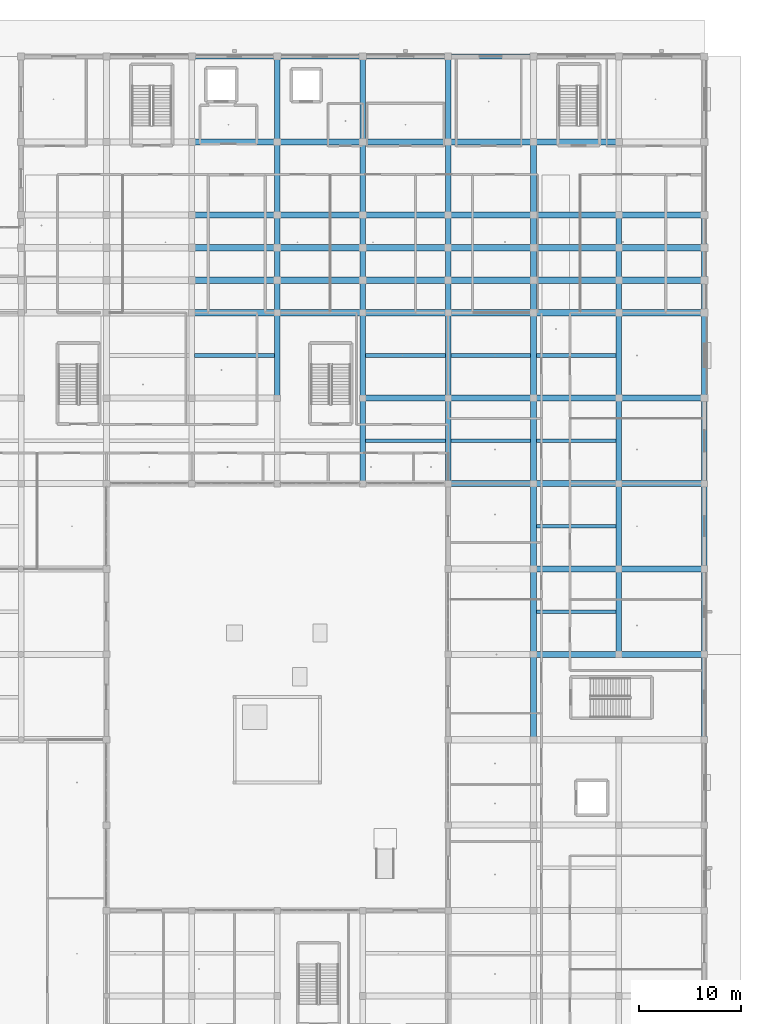
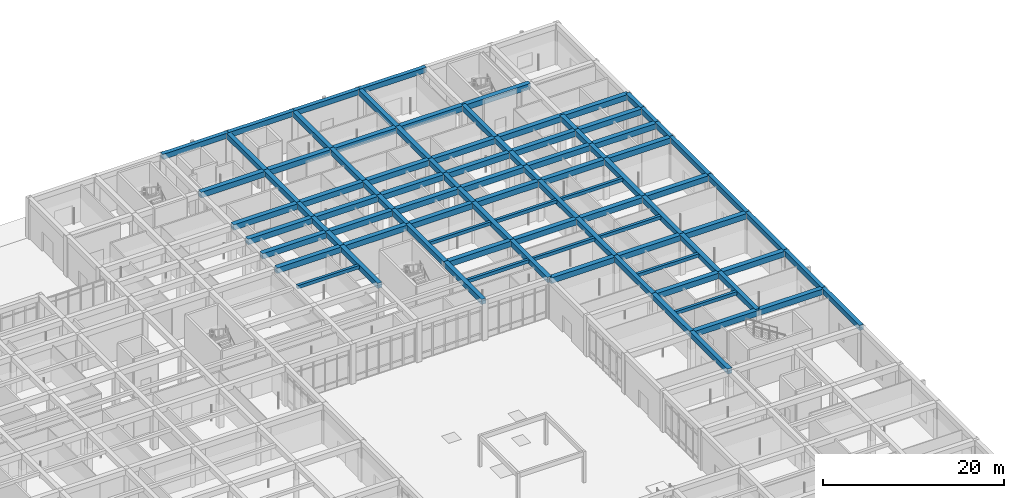
# One storey, part 43 of 167: 97 beams.
"""IFC4 building model written with IfcOpenShell, lengths in metres."""

import ifcopenshell
import ifcopenshell.guid

model = None  # the IFC model being written
_history = None  # IfcOwnerHistory: only IFC2X3 demands one
_inside = {}  # id of a spatial element -> (the spatial element, [elements in it])
_under = {}  # id of a project, library or spatial element -> (it, [spatial elements below it])
_declared = {}  # id of a project -> (the project, [libraries it declares])
_typed = {}  # id of a type object -> (the type object, [elements of that type])
_made_of = {}  # id of a material, layer set ... -> (it, [elements and type objects made of it])


def new_model(schema):
    """Start an empty IFC model of exactly this schema.

    Asked for "IFC4X3", IfcOpenShell would pick the latest addendum, in which some entities
    have other attributes; the version numbers below select the first issue.
    IFC2X3 requires an IfcOwnerHistory on every rooted entity: one is made here for all.
    """
    global model, _history
    if schema == "IFC4X3":
        model = ifcopenshell.file(schema_version=(4, 3, 0, 0))
    else:
        model = ifcopenshell.file(schema=schema)
    _inside.clear()
    _under.clear()
    _declared.clear()
    _typed.clear()
    _made_of.clear()
    _history = None
    if model.schema == "IFC2X3":
        org = make("IfcOrganization", Name="unknown")
        user = make(
            "IfcPersonAndOrganization",
            ThePerson=make("IfcPerson", FamilyName="unknown"),
            TheOrganization=org,
        )
        app = make(
            "IfcApplication",
            ApplicationDeveloper=org,
            Version="unknown",
            ApplicationFullName="unknown",
            ApplicationIdentifier="unknown",
        )
        _history = make(
            "IfcOwnerHistory",
            OwningUser=user,
            OwningApplication=app,
            ChangeAction="ADDED",
            CreationDate=0,
        )
    return model


def make(cls, **values):
    """One entity of the class cls with the attributes given. An attribute that is None is left unset."""
    return model.create_entity(
        cls, **{name: value for name, value in values.items() if value is not None}
    )


def rooted(cls, **values):
    """An entity with a GlobalId (a new one), such as an element, a storey or a relation."""
    return make(cls, GlobalId=ifcopenshell.guid.new(), OwnerHistory=_history, **values)


def si_unit(unit_type, name, prefix=None):
    """IfcSIUnit, for example si_unit("LENGTHUNIT", "METRE", prefix="MILLI")."""
    return make("IfcSIUnit", UnitType=unit_type, Prefix=prefix, Name=name)


def assignment(units):
    """IfcUnitAssignment: the units of a project."""
    return None if units is None else make("IfcUnitAssignment", Units=units)


def point(xyz):
    """IfcCartesianPoint."""
    return None if xyz is None else make("IfcCartesianPoint", Coordinates=xyz)


def direction(xyz):
    """IfcDirection."""
    return None if xyz is None else make("IfcDirection", DirectionRatios=xyz)


def frame(location, z_axis=None, x_axis=None):
    """IfcAxis2Placement3D, a coordinate frame: its origin and axes. An axis left out is left unset."""
    return make(
        "IfcAxis2Placement3D",
        Location=point(location),
        Axis=direction(z_axis),
        RefDirection=direction(x_axis),
    )


def frame_2d(location, x_axis=None):
    """IfcAxis2Placement2D, a coordinate frame in the plane: its origin and x axis."""
    return make(
        "IfcAxis2Placement2D", Location=point(location), RefDirection=direction(x_axis)
    )


def origin():
    """The frame at (0, 0, 0) with its axes left unset."""
    return frame((0.0, 0.0, 0.0))


def origin_2d():
    """The frame at (0, 0) in the plane with its x axis left unset."""
    return frame_2d((0.0, 0.0))


def place(relative_to, where):
    """IfcLocalPlacement: puts the frame where relative to a parent placement (None: the world)."""
    return make(
        "IfcLocalPlacement", PlacementRelTo=relative_to, RelativePlacement=where
    )


def context(
    kind, dimensions, precision=None, world=None, true_north=None, identifier=None
):
    """IfcGeometricRepresentationContext, for example the 3D "Model" context."""
    return make(
        "IfcGeometricRepresentationContext",
        ContextIdentifier=identifier,
        ContextType=kind,
        CoordinateSpaceDimension=dimensions,
        Precision=precision,
        WorldCoordinateSystem=world,
        TrueNorth=true_north,
    )


def subcontext(parent, identifier, kind, view, scale=None):
    """IfcGeometricRepresentationSubContext, for example "Body" below "Model"."""
    return make(
        "IfcGeometricRepresentationSubContext",
        ContextIdentifier=identifier,
        ContextType=kind,
        ParentContext=parent,
        TargetScale=scale,
        TargetView=view,
    )


def project(units=None, contexts=None):
    """IfcProject with its units and contexts."""
    return rooted(
        "IfcProject",
        Name="project",
        RepresentationContexts=contexts,
        UnitsInContext=assignment(units),
    )


def spatial(cls, under=None, at=None, **own):
    """A site, building, storey or space (cls), placed at a placement, below another one or the project."""
    s = rooted(cls, ObjectPlacement=at, **own)
    if under is not None:
        _under.setdefault(under.id(), (under, []))[1].append(s)
    return s


def profile(cls, at=None, kind="AREA", **sizes):
    """A parametric profile (cls). Its sizes go by their IFC names, for example OverallWidth=200.0."""
    return make(cls, ProfileType=kind, Position=at, **sizes)


def rectangle(**sizes):
    """IfcRectangleProfileDef."""
    return profile("IfcRectangleProfileDef", **sizes)


def extrude(swept, where, along, depth):
    """IfcExtrudedAreaSolid: the profile swept, set in the frame where, extruded along a direction by depth."""
    return make(
        "IfcExtrudedAreaSolid",
        SweptArea=swept,
        Position=where,
        ExtrudedDirection=direction(along),
        Depth=depth,
    )


def shape(context_of_items, identifier, shape_type, items):
    """IfcShapeRepresentation: the items that make up one representation, for example the "Body"."""
    return make(
        "IfcShapeRepresentation",
        ContextOfItems=context_of_items,
        RepresentationIdentifier=identifier,
        RepresentationType=shape_type,
        Items=items,
    )


def material(Name=None, Category=None):
    """IfcMaterial."""
    return make("IfcMaterial", Name=Name, Category=Category)


def material_profile(
    of_material, cross_section, Name=None, Category=None, Priority=None
):
    """IfcMaterialProfile: a cross section and its material."""
    return make(
        "IfcMaterialProfile",
        Name=Name,
        Material=of_material,
        Profile=cross_section,
        Priority=Priority,
        Category=Category,
    )


def profile_set(profiles, Name=None, composite=None):
    """IfcMaterialProfileSet."""
    return make(
        "IfcMaterialProfileSet",
        Name=Name,
        MaterialProfiles=profiles,
        CompositeProfile=composite,
    )


def made_of(thing, what):
    """Note that an element or type object is made of a material, layer set ...; save() writes the relation."""
    if what is not None:
        _made_of.setdefault(what.id(), (what, []))[1].append(thing)
    return thing


def type_object(cls, material=None, **own):
    """A type object (cls), such as IfcWallType, which elements share."""
    return made_of(rooted(cls, **own), material)


def element(
    cls,
    number,
    at=None,
    inside=None,
    cuts=None,
    type_object=None,
    material=None,
    context=None,
    identifier="Body",
    shape_type=None,
    held_by="IfcProductDefinitionShape",
    body=None,
    shapes=None,
    **own,
):
    """One element of the class cls, such as IfcWall. Its Tag is "e" and its number.

    at: its placement. inside: the storey or other place that contains it. cuts: it is an
    opening in that element (IfcRelVoidsElement). A single representation is given by context,
    identifier, shape_type and body (its items); several are given by shapes. held_by: the class
    of the entity that holds the representations. save() writes the other relations.
    """
    e = rooted(cls, Tag="e%d" % number, ObjectPlacement=at, **own)
    if body is not None:
        shapes = [shape(context, identifier, shape_type, body)]
    if shapes is not None:
        e.Representation = make(held_by, Representations=shapes)
    if inside is not None:
        _inside.setdefault(inside.id(), (inside, []))[1].append(e)
    if cuts is not None:
        rooted(
            "IfcRelVoidsElement", RelatingBuildingElement=cuts, RelatedOpeningElement=e
        )
    if type_object is not None:
        _typed.setdefault(type_object.id(), (type_object, []))[1].append(e)
    return made_of(e, material)


def aggregate(whole, parts):
    """IfcRelAggregates: a whole, such as a stair, and the parts it consists of."""
    return rooted("IfcRelAggregates", RelatingObject=whole, RelatedObjects=parts)


def save(model, path):
    """Write the relations noted so far, then the file.

    IfcRelAggregates (storeys below a building ...), IfcRelContainedInSpatialStructure (elements
    in a storey), IfcRelDefinesByType, IfcRelAssociatesMaterial and IfcRelDeclares: one each for
    every whole, place, type object, material and project.
    """
    for whole, parts in _under.values():
        aggregate(whole, parts)
    for where, things in _inside.values():
        rooted(
            "IfcRelContainedInSpatialStructure",
            RelatedElements=things,
            RelatingStructure=where,
        )
    for kind, things in _typed.values():
        rooted("IfcRelDefinesByType", RelatedObjects=things, RelatingType=kind)
    for what, things in _made_of.values():
        rooted("IfcRelAssociatesMaterial", RelatedObjects=things, RelatingMaterial=what)
    for by, libraries in _declared.values():
        rooted("IfcRelDeclares", RelatingContext=by, RelatedDefinitions=libraries)
    model.write(path)


model = new_model("IFC4")

# Units and contexts
model_context = context("Model", 3, precision=1e-05, world=origin(), true_north=direction((0.0, 1.0)))
body_context = subcontext(model_context, "Body", "Model", "MODEL_VIEW")
ifc_project = project(units=[si_unit("LENGTHUNIT", "METRE"), si_unit("AREAUNIT", "SQUARE_METRE"), si_unit("VOLUMEUNIT", "CUBIC_METRE"), si_unit("PLANEANGLEUNIT", "RADIAN"), si_unit("MASSUNIT", "GRAM", prefix="KILO")], contexts=[model_context])

# Site, building, storey
site_placement = place(None, origin())
site = spatial("IfcSite", under=ifc_project, at=site_placement, CompositionType="ELEMENT")
building_placement = place(site_placement, origin())
building = spatial("IfcBuilding", under=site, at=building_placement, Name="Varncliffe General Hospital", CompositionType="ELEMENT")
storey_placement = place(building_placement, origin())
storey = spatial("IfcBuildingStorey", under=building, at=storey_placement, Name="L00", CompositionType="ELEMENT", Elevation=0.0)

# Beams
ifc_material = material(Name="Concrete C35/45 (CSA A23.1 35 MPa)", Category="concrete")
ifc_material_profile_1 = material_profile(ifc_material, rectangle(XDim=0.60009765625, YDim=0.75, at=origin_2d()), Name="RC 600x750")
ifc_profile_set_1 = profile_set([ifc_material_profile_1], Name="Concrete C35/45 (CSA A23.1 35 MPa)")
beam_type_1 = type_object("IfcBeamType", Name="Beam B23 (Int RC 600x750)", PredefinedType="BEAM", material=ifc_profile_set_1)
for number, where, z_axis, x_axis, name in (
    (1, (159.60009765625, 66.0, 5.02490234375), (1.0, 0.0, 0.0), (0.0, 1.0, 0.0), "L00 Primary Beam B23-97"),
    (2, (168.0, 66.0, 5.02490234375), (1.0, 0.0, 0.0), (0.0, 1.0, 0.0), "L00 Primary Beam B23-98"),
    (3, (159.60009765625, 74.39990234375, 5.02490234375), (1.0, 0.0, 0.0), (0.0, 1.0, 0.0), "L00 Primary Beam B23-110"),
    (4, (168.0, 74.39990234375, 5.02490234375), (1.0, 0.0, 0.0), (0.0, 1.0, 0.0), "L00 Primary Beam B23-111"),
):
    element("IfcBeam", number, at=place(storey_placement, frame(where, z_axis=z_axis, x_axis=x_axis)), inside=storey, type_object=beam_type_1, Name=name, PredefinedType="BEAM", context=body_context, shape_type="SweptSolid", body=[
        extrude(rectangle(XDim=0.60009765625, YDim=0.75, at=origin_2d()), origin(), (0.0, 0.0, 1.0), 8.39990234375),
    ])
beam_1_placement = place(storey_placement, frame((151.199951171875, 82.800048828125, 5.02490234375), z_axis=(1.0, 0.0, 0.0), x_axis=(0.0, 1.0, 0.0)))
element("IfcBeam", 5, at=beam_1_placement, inside=storey, type_object=beam_type_1, Name="L00 Primary Beam B23-130", PredefinedType="BEAM", context=body_context, shape_type="SweptSolid", body=[
    extrude(rectangle(XDim=0.60009765625, YDim=0.75, at=origin_2d()), origin(), (0.0, 0.0, 1.0), 8.400146484375),
])
for number, where, z_axis, x_axis, name in (
    (6, (159.60009765625, 82.800048828125, 5.02490234375), (1.0, 0.0, 0.0), (0.0, 1.0, 0.0), "L00 Primary Beam B23-131"),
    (7, (168.0, 82.800048828125, 5.02490234375), (1.0, 0.0, 0.0), (0.0, 1.0, 0.0), "L00 Primary Beam B23-132"),
    (8, (142.800048828125, 91.199951171875, 5.02490234375), (1.0, 0.0, 0.0), (0.0, 1.0, 0.0), "L00 Primary Beam B23-146"),
):
    element("IfcBeam", number, at=place(storey_placement, frame(where, z_axis=z_axis, x_axis=x_axis)), inside=storey, type_object=beam_type_1, Name=name, PredefinedType="BEAM", context=body_context, shape_type="SweptSolid", body=[
        extrude(rectangle(XDim=0.60009765625, YDim=0.75, at=origin_2d()), origin(), (0.0, 0.0, 1.0), 8.39990234375),
    ])
beam_2_placement = place(storey_placement, frame((151.199951171875, 91.199951171875, 5.02490234375), z_axis=(1.0, 0.0, 0.0), x_axis=(0.0, 1.0, 0.0)))
element("IfcBeam", 9, at=beam_2_placement, inside=storey, type_object=beam_type_1, Name="L00 Primary Beam B23-147", PredefinedType="BEAM", context=body_context, shape_type="SweptSolid", body=[
    extrude(rectangle(XDim=0.60009765625, YDim=0.75, at=origin_2d()), origin(), (0.0, 0.0, 1.0), 8.400146484375),
])
for number, where, z_axis, x_axis, name in (
    (10, (159.60009765625, 91.199951171875, 5.02490234375), (1.0, 0.0, 0.0), (0.0, 1.0, 0.0), "L00 Primary Beam B23-148"),
    (11, (168.0, 91.199951171875, 5.02490234375), (1.0, 0.0, 0.0), (0.0, 1.0, 0.0), "L00 Primary Beam B23-149"),
    (12, (126.0, 99.60009765625, 5.02490234375), (1.0, 0.0, 0.0), (0.0, 1.0, 0.0), "L00 Primary Beam B23-165"),
):
    element("IfcBeam", number, at=place(storey_placement, frame(where, z_axis=z_axis, x_axis=x_axis)), inside=storey, type_object=beam_type_1, Name=name, PredefinedType="BEAM", context=body_context, shape_type="SweptSolid", body=[
        extrude(rectangle(XDim=0.60009765625, YDim=0.75, at=origin_2d()), origin(), (0.0, 0.0, 1.0), 8.39990234375),
    ])
beam_3_placement = place(storey_placement, frame((134.39990234375, 99.60009765625, 5.02490234375), z_axis=(1.0, 0.0, 0.0), x_axis=(0.0, 1.0, 0.0)))
element("IfcBeam", 13, at=beam_3_placement, inside=storey, type_object=beam_type_1, Name="L00 Primary Beam B23-166", PredefinedType="BEAM", context=body_context, shape_type="SweptSolid", body=[
    extrude(rectangle(XDim=0.60009765625, YDim=0.75, at=origin_2d()), origin(), (0.0, 0.0, 1.0), 8.400146484375),
])
beam_4_placement = place(storey_placement, frame((142.800048828125, 99.60009765625, 5.02490234375), z_axis=(1.0, 0.0, 0.0), x_axis=(0.0, 1.0, 0.0)))
element("IfcBeam", 14, at=beam_4_placement, inside=storey, type_object=beam_type_1, Name="L00 Primary Beam B23-167", PredefinedType="BEAM", context=body_context, shape_type="SweptSolid", body=[
    extrude(rectangle(XDim=0.60009765625, YDim=0.75, at=origin_2d()), origin(), (0.0, 0.0, 1.0), 8.39990234375),
])
beam_5_placement = place(storey_placement, frame((151.199951171875, 99.60009765625, 5.02490234375), z_axis=(1.0, 0.0, 0.0), x_axis=(0.0, 1.0, 0.0)))
element("IfcBeam", 15, at=beam_5_placement, inside=storey, type_object=beam_type_1, Name="L00 Primary Beam B23-168", PredefinedType="BEAM", context=body_context, shape_type="SweptSolid", body=[
    extrude(rectangle(XDim=0.60009765625, YDim=0.75, at=origin_2d()), origin(), (0.0, 0.0, 1.0), 8.400146484375),
])
for number, where, z_axis, x_axis, name in (
    (16, (159.60009765625, 99.60009765625, 5.02490234375), (1.0, 0.0, 0.0), (0.0, 1.0, 0.0), "L00 Primary Beam B23-169"),
    (17, (168.0, 99.60009765625, 5.02490234375), (1.0, 0.0, 0.0), (0.0, 1.0, 0.0), "L00 Primary Beam B23-170"),
    (18, (126.0, 102.800048828125, 5.02490234375), (1.0, 0.0, 0.0), (0.0, 1.0, 0.0), "L00 Primary Beam B23-186"),
):
    element("IfcBeam", number, at=place(storey_placement, frame(where, z_axis=z_axis, x_axis=x_axis)), inside=storey, type_object=beam_type_1, Name=name, PredefinedType="BEAM", context=body_context, shape_type="SweptSolid", body=[
        extrude(rectangle(XDim=0.60009765625, YDim=0.75, at=origin_2d()), origin(), (0.0, 0.0, 1.0), 8.39990234375),
    ])
beam_6_placement = place(storey_placement, frame((134.39990234375, 102.800048828125, 5.02490234375), z_axis=(1.0, 0.0, 0.0), x_axis=(0.0, 1.0, 0.0)))
element("IfcBeam", 19, at=beam_6_placement, inside=storey, type_object=beam_type_1, Name="L00 Primary Beam B23-187", PredefinedType="BEAM", context=body_context, shape_type="SweptSolid", body=[
    extrude(rectangle(XDim=0.60009765625, YDim=0.75, at=origin_2d()), origin(), (0.0, 0.0, 1.0), 8.400146484375),
])
beam_7_placement = place(storey_placement, frame((142.800048828125, 102.800048828125, 5.02490234375), z_axis=(1.0, 0.0, 0.0), x_axis=(0.0, 1.0, 0.0)))
element("IfcBeam", 20, at=beam_7_placement, inside=storey, type_object=beam_type_1, Name="L00 Primary Beam B23-188", PredefinedType="BEAM", context=body_context, shape_type="SweptSolid", body=[
    extrude(rectangle(XDim=0.60009765625, YDim=0.75, at=origin_2d()), origin(), (0.0, 0.0, 1.0), 8.39990234375),
])
beam_8_placement = place(storey_placement, frame((151.199951171875, 102.800048828125, 5.02490234375), z_axis=(1.0, 0.0, 0.0), x_axis=(0.0, 1.0, 0.0)))
element("IfcBeam", 21, at=beam_8_placement, inside=storey, type_object=beam_type_1, Name="L00 Primary Beam B23-189", PredefinedType="BEAM", context=body_context, shape_type="SweptSolid", body=[
    extrude(rectangle(XDim=0.60009765625, YDim=0.75, at=origin_2d()), origin(), (0.0, 0.0, 1.0), 8.400146484375),
])
for number, where, z_axis, x_axis, name in (
    (22, (159.60009765625, 102.800048828125, 5.02490234375), (1.0, 0.0, 0.0), (0.0, 1.0, 0.0), "L00 Primary Beam B23-190"),
    (23, (168.0, 102.800048828125, 5.02490234375), (1.0, 0.0, 0.0), (0.0, 1.0, 0.0), "L00 Primary Beam B23-191"),
    (24, (126.0, 106.0, 5.02490234375), (1.0, 0.0, 0.0), (0.0, 1.0, 0.0), "L00 Primary Beam B23-202"),
):
    element("IfcBeam", number, at=place(storey_placement, frame(where, z_axis=z_axis, x_axis=x_axis)), inside=storey, type_object=beam_type_1, Name=name, PredefinedType="BEAM", context=body_context, shape_type="SweptSolid", body=[
        extrude(rectangle(XDim=0.60009765625, YDim=0.75, at=origin_2d()), origin(), (0.0, 0.0, 1.0), 8.39990234375),
    ])
beam_9_placement = place(storey_placement, frame((134.39990234375, 106.0, 5.02490234375), z_axis=(1.0, 0.0, 0.0), x_axis=(0.0, 1.0, 0.0)))
element("IfcBeam", 25, at=beam_9_placement, inside=storey, type_object=beam_type_1, Name="L00 Primary Beam B23-203", PredefinedType="BEAM", context=body_context, shape_type="SweptSolid", body=[
    extrude(rectangle(XDim=0.60009765625, YDim=0.75, at=origin_2d()), origin(), (0.0, 0.0, 1.0), 8.400146484375),
])
beam_10_placement = place(storey_placement, frame((142.800048828125, 106.0, 5.02490234375), z_axis=(1.0, 0.0, 0.0), x_axis=(0.0, 1.0, 0.0)))
element("IfcBeam", 26, at=beam_10_placement, inside=storey, type_object=beam_type_1, Name="L00 Primary Beam B23-204", PredefinedType="BEAM", context=body_context, shape_type="SweptSolid", body=[
    extrude(rectangle(XDim=0.60009765625, YDim=0.75, at=origin_2d()), origin(), (0.0, 0.0, 1.0), 8.39990234375),
])
beam_11_placement = place(storey_placement, frame((151.199951171875, 106.0, 5.02490234375), z_axis=(1.0, 0.0, 0.0), x_axis=(0.0, 1.0, 0.0)))
element("IfcBeam", 27, at=beam_11_placement, inside=storey, type_object=beam_type_1, Name="L00 Primary Beam B23-205", PredefinedType="BEAM", context=body_context, shape_type="SweptSolid", body=[
    extrude(rectangle(XDim=0.60009765625, YDim=0.75, at=origin_2d()), origin(), (0.0, 0.0, 1.0), 8.400146484375),
])
for number, where, z_axis, x_axis, name in (
    (28, (159.60009765625, 106.0, 5.02490234375), (1.0, 0.0, 0.0), (0.0, 1.0, 0.0), "L00 Primary Beam B23-206"),
    (29, (168.0, 106.0, 5.02490234375), (1.0, 0.0, 0.0), (0.0, 1.0, 0.0), "L00 Primary Beam B23-207"),
    (30, (126.0, 109.199951171875, 5.02490234375), (1.0, 0.0, 0.0), (0.0, 1.0, 0.0), "L00 Primary Beam B23-221"),
):
    element("IfcBeam", number, at=place(storey_placement, frame(where, z_axis=z_axis, x_axis=x_axis)), inside=storey, type_object=beam_type_1, Name=name, PredefinedType="BEAM", context=body_context, shape_type="SweptSolid", body=[
        extrude(rectangle(XDim=0.60009765625, YDim=0.75, at=origin_2d()), origin(), (0.0, 0.0, 1.0), 8.39990234375),
    ])
beam_12_placement = place(storey_placement, frame((134.39990234375, 109.199951171875, 5.02490234375), z_axis=(1.0, 0.0, 0.0), x_axis=(0.0, 1.0, 0.0)))
element("IfcBeam", 31, at=beam_12_placement, inside=storey, type_object=beam_type_1, Name="L00 Primary Beam B23-222", PredefinedType="BEAM", context=body_context, shape_type="SweptSolid", body=[
    extrude(rectangle(XDim=0.60009765625, YDim=0.75, at=origin_2d()), origin(), (0.0, 0.0, 1.0), 8.400146484375),
])
beam_13_placement = place(storey_placement, frame((142.800048828125, 109.199951171875, 5.02490234375), z_axis=(1.0, 0.0, 0.0), x_axis=(0.0, 1.0, 0.0)))
element("IfcBeam", 32, at=beam_13_placement, inside=storey, type_object=beam_type_1, Name="L00 Primary Beam B23-223", PredefinedType="BEAM", context=body_context, shape_type="SweptSolid", body=[
    extrude(rectangle(XDim=0.60009765625, YDim=0.75, at=origin_2d()), origin(), (0.0, 0.0, 1.0), 8.39990234375),
])
beam_14_placement = place(storey_placement, frame((151.199951171875, 109.199951171875, 5.02490234375), z_axis=(1.0, 0.0, 0.0), x_axis=(0.0, 1.0, 0.0)))
element("IfcBeam", 33, at=beam_14_placement, inside=storey, type_object=beam_type_1, Name="L00 Primary Beam B23-224", PredefinedType="BEAM", context=body_context, shape_type="SweptSolid", body=[
    extrude(rectangle(XDim=0.60009765625, YDim=0.75, at=origin_2d()), origin(), (0.0, 0.0, 1.0), 8.400146484375),
])
for number, where, z_axis, x_axis, name in (
    (34, (159.60009765625, 109.199951171875, 5.02490234375), (1.0, 0.0, 0.0), (0.0, 1.0, 0.0), "L00 Primary Beam B23-225"),
    (35, (168.0, 109.199951171875, 5.02490234375), (1.0, 0.0, 0.0), (0.0, 1.0, 0.0), "L00 Primary Beam B23-226"),
    (36, (126.0, 116.39990234375, 5.02490234375), (1.0, 0.0, 0.0), (0.0, 1.0, 0.0), "L00 Primary Beam B23-237"),
):
    element("IfcBeam", number, at=place(storey_placement, frame(where, z_axis=z_axis, x_axis=x_axis)), inside=storey, type_object=beam_type_1, Name=name, PredefinedType="BEAM", context=body_context, shape_type="SweptSolid", body=[
        extrude(rectangle(XDim=0.60009765625, YDim=0.75, at=origin_2d()), origin(), (0.0, 0.0, 1.0), 8.39990234375),
    ])
beam_15_placement = place(storey_placement, frame((134.39990234375, 116.39990234375, 5.02490234375), z_axis=(1.0, 0.0, 0.0), x_axis=(0.0, 1.0, 0.0)))
element("IfcBeam", 37, at=beam_15_placement, inside=storey, type_object=beam_type_1, Name="L00 Primary Beam B23-238", PredefinedType="BEAM", context=body_context, shape_type="SweptSolid", body=[
    extrude(rectangle(XDim=0.60009765625, YDim=0.75, at=origin_2d()), origin(), (0.0, 0.0, 1.0), 8.400146484375),
])
beam_16_placement = place(storey_placement, frame((142.800048828125, 116.39990234375, 5.02490234375), z_axis=(1.0, 0.0, 0.0), x_axis=(0.0, 1.0, 0.0)))
element("IfcBeam", 38, at=beam_16_placement, inside=storey, type_object=beam_type_1, Name="L00 Primary Beam B23-239", PredefinedType="BEAM", context=body_context, shape_type="SweptSolid", body=[
    extrude(rectangle(XDim=0.60009765625, YDim=0.75, at=origin_2d()), origin(), (0.0, 0.0, 1.0), 8.39990234375),
])
beam_17_placement = place(storey_placement, frame((151.199951171875, 116.39990234375, 5.02490234375), z_axis=(1.0, 0.0, 0.0), x_axis=(0.0, 1.0, 0.0)))
element("IfcBeam", 39, at=beam_17_placement, inside=storey, type_object=beam_type_1, Name="L00 Primary Beam B23-240", PredefinedType="BEAM", context=body_context, shape_type="SweptSolid", body=[
    extrude(rectangle(XDim=0.60009765625, YDim=0.75, at=origin_2d()), origin(), (0.0, 0.0, 1.0), 8.400146484375),
])
beam_18_placement = place(storey_placement, frame((159.60009765625, 116.39990234375, 5.02490234375), z_axis=(1.0, 0.0, 0.0), x_axis=(0.0, 1.0, 0.0)))
element("IfcBeam", 40, at=beam_18_placement, inside=storey, type_object=beam_type_1, Name="L00 Primary Beam B23-241", PredefinedType="BEAM", context=body_context, shape_type="SweptSolid", body=[
    extrude(rectangle(XDim=0.60009765625, YDim=0.75, at=origin_2d()), origin(), (0.0, 0.0, 1.0), 8.39990234375),
])
ifc_material_profile_2 = material_profile(ifc_material, rectangle(XDim=0.550048828125, YDim=0.699951171875, at=origin_2d()), Name="RC 550x700")
ifc_profile_set_2 = profile_set([ifc_material_profile_2], Name="Concrete C35/45 (CSA A23.1 35 MPa)")
beam_type_2 = type_object("IfcBeamType", Name="Beam B35 (Int RC 550x700)", PredefinedType="BEAM", material=ifc_profile_set_2)
beam_19_placement = place(storey_placement, frame((134.39990234375, 91.199951171875, 5.050048828125), z_axis=(0.0, 1.0, 0.0), x_axis=(-1.0, 0.0, 0.0)))
element("IfcBeam", 41, at=beam_19_placement, inside=storey, type_object=beam_type_2, Name="L00 Primary Beam B35-444", PredefinedType="BEAM", context=body_context, shape_type="SweptSolid", body=[
    extrude(rectangle(XDim=0.550048828125, YDim=0.699951171875, at=origin_2d()), origin(), (0.0, 0.0, 1.0), 8.400146484375),
])
for number, where, z_axis, x_axis, name in (
    (42, (134.39990234375, 99.60009765625, 5.050048828125), (0.0, 1.0, 0.0), (-1.0, 0.0, 0.0), "L00 Primary Beam B35-445"),
    (43, (134.39990234375, 102.800048828125, 5.050048828125), (0.0, 1.0, 0.0), (-1.0, 0.0, 0.0), "L00 Primary Beam B35-446"),
    (44, (134.39990234375, 106.0, 5.050048828125), (0.0, 1.0, 0.0), (-1.0, 0.0, 0.0), "L00 Primary Beam B35-447"),
):
    element("IfcBeam", number, at=place(storey_placement, frame(where, z_axis=z_axis, x_axis=x_axis)), inside=storey, type_object=beam_type_2, Name=name, PredefinedType="BEAM", context=body_context, shape_type="SweptSolid", body=[
        extrude(rectangle(XDim=0.550048828125, YDim=0.699951171875, at=origin_2d()), origin(), (0.0, 0.0, 1.0), 3.199951171875),
    ])
beam_20_placement = place(storey_placement, frame((134.39990234375, 109.199951171875, 5.050048828125), z_axis=(0.0, 1.0, 0.0), x_axis=(-1.0, 0.0, 0.0)))
element("IfcBeam", 45, at=beam_20_placement, inside=storey, type_object=beam_type_2, Name="L00 Primary Beam B35-448", PredefinedType="BEAM", context=body_context, shape_type="SweptSolid", body=[
    extrude(rectangle(XDim=0.550048828125, YDim=0.699951171875, at=origin_2d()), origin(), (0.0, 0.0, 1.0), 7.199951171875),
])
beam_21_placement = place(storey_placement, frame((134.39990234375, 116.39990234375, 5.050048828125), z_axis=(0.0, 1.0, 0.0), x_axis=(-1.0, 0.0, 0.0)))
element("IfcBeam", 46, at=beam_21_placement, inside=storey, type_object=beam_type_2, Name="L00 Primary Beam B35-449", PredefinedType="BEAM", context=body_context, shape_type="SweptSolid", body=[
    extrude(rectangle(XDim=0.550048828125, YDim=0.699951171875, at=origin_2d()), origin(), (0.0, 0.0, 1.0), 8.400146484375),
])
beam_22_placement = place(storey_placement, frame((142.800048828125, 82.800048828125, 5.050048828125), z_axis=(0.0, 1.0, 0.0), x_axis=(-1.0, 0.0, 0.0)))
element("IfcBeam", 47, at=beam_22_placement, inside=storey, type_object=beam_type_2, Name="L00 Primary Beam B35-452", PredefinedType="BEAM", context=body_context, shape_type="SweptSolid", body=[
    extrude(rectangle(XDim=0.550048828125, YDim=0.699951171875, at=origin_2d()), origin(), (0.0, 0.0, 1.0), 8.39990234375),
])
beam_23_placement = place(storey_placement, frame((142.800048828125, 91.199951171875, 5.050048828125), z_axis=(0.0, 1.0, 0.0), x_axis=(-1.0, 0.0, 0.0)))
element("IfcBeam", 48, at=beam_23_placement, inside=storey, type_object=beam_type_2, Name="L00 Primary Beam B35-453", PredefinedType="BEAM", context=body_context, shape_type="SweptSolid", body=[
    extrude(rectangle(XDim=0.550048828125, YDim=0.699951171875, at=origin_2d()), origin(), (0.0, 0.0, 1.0), 8.400146484375),
])
for number, where, z_axis, x_axis, name in (
    (49, (142.800048828125, 99.60009765625, 5.050048828125), (0.0, 1.0, 0.0), (-1.0, 0.0, 0.0), "L00 Primary Beam B35-454"),
    (50, (142.800048828125, 102.800048828125, 5.050048828125), (0.0, 1.0, 0.0), (-1.0, 0.0, 0.0), "L00 Primary Beam B35-455"),
    (51, (142.800048828125, 106.0, 5.050048828125), (0.0, 1.0, 0.0), (-1.0, 0.0, 0.0), "L00 Primary Beam B35-456"),
):
    element("IfcBeam", number, at=place(storey_placement, frame(where, z_axis=z_axis, x_axis=x_axis)), inside=storey, type_object=beam_type_2, Name=name, PredefinedType="BEAM", context=body_context, shape_type="SweptSolid", body=[
        extrude(rectangle(XDim=0.550048828125, YDim=0.699951171875, at=origin_2d()), origin(), (0.0, 0.0, 1.0), 3.199951171875),
    ])
beam_24_placement = place(storey_placement, frame((142.800048828125, 109.199951171875, 5.050048828125), z_axis=(0.0, 1.0, 0.0), x_axis=(-1.0, 0.0, 0.0)))
element("IfcBeam", 52, at=beam_24_placement, inside=storey, type_object=beam_type_2, Name="L00 Primary Beam B35-457", PredefinedType="BEAM", context=body_context, shape_type="SweptSolid", body=[
    extrude(rectangle(XDim=0.550048828125, YDim=0.699951171875, at=origin_2d()), origin(), (0.0, 0.0, 1.0), 7.199951171875),
])
beam_25_placement = place(storey_placement, frame((142.800048828125, 116.39990234375, 5.050048828125), z_axis=(0.0, 1.0, 0.0), x_axis=(-1.0, 0.0, 0.0)))
element("IfcBeam", 53, at=beam_25_placement, inside=storey, type_object=beam_type_2, Name="L00 Primary Beam B35-458", PredefinedType="BEAM", context=body_context, shape_type="SweptSolid", body=[
    extrude(rectangle(XDim=0.550048828125, YDim=0.699951171875, at=origin_2d()), origin(), (0.0, 0.0, 1.0), 8.400146484375),
])
beam_26_placement = place(storey_placement, frame((151.199951171875, 82.800048828125, 5.050048828125), z_axis=(0.0, 1.0, 0.0), x_axis=(-1.0, 0.0, 0.0)))
element("IfcBeam", 54, at=beam_26_placement, inside=storey, type_object=beam_type_2, Name="L00 Primary Beam B35-469", PredefinedType="BEAM", context=body_context, shape_type="SweptSolid", body=[
    extrude(rectangle(XDim=0.550048828125, YDim=0.699951171875, at=origin_2d()), origin(), (0.0, 0.0, 1.0), 8.39990234375),
])
beam_27_placement = place(storey_placement, frame((151.199951171875, 91.199951171875, 5.050048828125), z_axis=(0.0, 1.0, 0.0), x_axis=(-1.0, 0.0, 0.0)))
element("IfcBeam", 55, at=beam_27_placement, inside=storey, type_object=beam_type_2, Name="L00 Primary Beam B35-470", PredefinedType="BEAM", context=body_context, shape_type="SweptSolid", body=[
    extrude(rectangle(XDim=0.550048828125, YDim=0.699951171875, at=origin_2d()), origin(), (0.0, 0.0, 1.0), 8.400146484375),
])
for number, where, z_axis, x_axis, name in (
    (56, (151.199951171875, 99.60009765625, 5.050048828125), (0.0, 1.0, 0.0), (-1.0, 0.0, 0.0), "L00 Primary Beam B35-471"),
    (57, (151.199951171875, 102.800048828125, 5.050048828125), (0.0, 1.0, 0.0), (-1.0, 0.0, 0.0), "L00 Primary Beam B35-472"),
    (58, (151.199951171875, 106.0, 5.050048828125), (0.0, 1.0, 0.0), (-1.0, 0.0, 0.0), "L00 Primary Beam B35-473"),
):
    element("IfcBeam", number, at=place(storey_placement, frame(where, z_axis=z_axis, x_axis=x_axis)), inside=storey, type_object=beam_type_2, Name=name, PredefinedType="BEAM", context=body_context, shape_type="SweptSolid", body=[
        extrude(rectangle(XDim=0.550048828125, YDim=0.699951171875, at=origin_2d()), origin(), (0.0, 0.0, 1.0), 3.199951171875),
    ])
beam_28_placement = place(storey_placement, frame((151.199951171875, 109.199951171875, 5.050048828125), z_axis=(0.0, 1.0, 0.0), x_axis=(-1.0, 0.0, 0.0)))
element("IfcBeam", 59, at=beam_28_placement, inside=storey, type_object=beam_type_2, Name="L00 Primary Beam B35-474", PredefinedType="BEAM", context=body_context, shape_type="SweptSolid", body=[
    extrude(rectangle(XDim=0.550048828125, YDim=0.699951171875, at=origin_2d()), origin(), (0.0, 0.0, 1.0), 7.199951171875),
])
beam_29_placement = place(storey_placement, frame((151.199951171875, 116.39990234375, 5.050048828125), z_axis=(0.0, 1.0, 0.0), x_axis=(-1.0, 0.0, 0.0)))
element("IfcBeam", 60, at=beam_29_placement, inside=storey, type_object=beam_type_2, Name="L00 Primary Beam B35-475", PredefinedType="BEAM", context=body_context, shape_type="SweptSolid", body=[
    extrude(rectangle(XDim=0.550048828125, YDim=0.699951171875, at=origin_2d()), origin(), (0.0, 0.0, 1.0), 8.400146484375),
])
for number, where, z_axis, x_axis, name in (
    (61, (159.60009765625, 57.60009765625, 5.050048828125), (0.0, 1.0, 0.0), (-1.0, 0.0, 0.0), "L00 Primary Beam B35-483"),
    (62, (159.60009765625, 66.0, 5.050048828125), (0.0, 1.0, 0.0), (-1.0, 0.0, 0.0), "L00 Primary Beam B35-484"),
):
    element("IfcBeam", number, at=place(storey_placement, frame(where, z_axis=z_axis, x_axis=x_axis)), inside=storey, type_object=beam_type_2, Name=name, PredefinedType="BEAM", context=body_context, shape_type="SweptSolid", body=[
        extrude(rectangle(XDim=0.550048828125, YDim=0.699951171875, at=origin_2d()), origin(), (0.0, 0.0, 1.0), 8.39990234375),
    ])
beam_30_placement = place(storey_placement, frame((159.60009765625, 74.39990234375, 5.050048828125), z_axis=(0.0, 1.0, 0.0), x_axis=(-1.0, 0.0, 0.0)))
element("IfcBeam", 63, at=beam_30_placement, inside=storey, type_object=beam_type_2, Name="L00 Primary Beam B35-485", PredefinedType="BEAM", context=body_context, shape_type="SweptSolid", body=[
    extrude(rectangle(XDim=0.550048828125, YDim=0.699951171875, at=origin_2d()), origin(), (0.0, 0.0, 1.0), 8.400146484375),
])
beam_31_placement = place(storey_placement, frame((159.60009765625, 82.800048828125, 5.050048828125), z_axis=(0.0, 1.0, 0.0), x_axis=(-1.0, 0.0, 0.0)))
element("IfcBeam", 64, at=beam_31_placement, inside=storey, type_object=beam_type_2, Name="L00 Primary Beam B35-486", PredefinedType="BEAM", context=body_context, shape_type="SweptSolid", body=[
    extrude(rectangle(XDim=0.550048828125, YDim=0.699951171875, at=origin_2d()), origin(), (0.0, 0.0, 1.0), 8.39990234375),
])
beam_32_placement = place(storey_placement, frame((159.60009765625, 91.199951171875, 5.050048828125), z_axis=(0.0, 1.0, 0.0), x_axis=(-1.0, 0.0, 0.0)))
element("IfcBeam", 65, at=beam_32_placement, inside=storey, type_object=beam_type_2, Name="L00 Primary Beam B35-487", PredefinedType="BEAM", context=body_context, shape_type="SweptSolid", body=[
    extrude(rectangle(XDim=0.550048828125, YDim=0.699951171875, at=origin_2d()), origin(), (0.0, 0.0, 1.0), 8.400146484375),
])
for number, where, z_axis, x_axis, name in (
    (66, (159.60009765625, 99.60009765625, 5.050048828125), (0.0, 1.0, 0.0), (-1.0, 0.0, 0.0), "L00 Primary Beam B35-488"),
    (67, (159.60009765625, 102.800048828125, 5.050048828125), (0.0, 1.0, 0.0), (-1.0, 0.0, 0.0), "L00 Primary Beam B35-489"),
    (68, (159.60009765625, 106.0, 5.050048828125), (0.0, 1.0, 0.0), (-1.0, 0.0, 0.0), "L00 Primary Beam B35-490"),
):
    element("IfcBeam", number, at=place(storey_placement, frame(where, z_axis=z_axis, x_axis=x_axis)), inside=storey, type_object=beam_type_2, Name=name, PredefinedType="BEAM", context=body_context, shape_type="SweptSolid", body=[
        extrude(rectangle(XDim=0.550048828125, YDim=0.699951171875, at=origin_2d()), origin(), (0.0, 0.0, 1.0), 3.199951171875),
    ])
beam_33_placement = place(storey_placement, frame((159.60009765625, 109.199951171875, 5.050048828125), z_axis=(0.0, 1.0, 0.0), x_axis=(-1.0, 0.0, 0.0)))
element("IfcBeam", 69, at=beam_33_placement, inside=storey, type_object=beam_type_2, Name="L00 Primary Beam B35-491", PredefinedType="BEAM", context=body_context, shape_type="SweptSolid", body=[
    extrude(rectangle(XDim=0.550048828125, YDim=0.699951171875, at=origin_2d()), origin(), (0.0, 0.0, 1.0), 7.199951171875),
])
beam_34_placement = place(storey_placement, frame((168.0, 66.0, 5.050048828125), z_axis=(0.0, 1.0, 0.0), x_axis=(-1.0, 0.0, 0.0)))
element("IfcBeam", 70, at=beam_34_placement, inside=storey, type_object=beam_type_2, Name="L00 Primary Beam B35-499", PredefinedType="BEAM", context=body_context, shape_type="SweptSolid", body=[
    extrude(rectangle(XDim=0.550048828125, YDim=0.699951171875, at=origin_2d()), origin(), (0.0, 0.0, 1.0), 8.39990234375),
])
beam_35_placement = place(storey_placement, frame((168.0, 74.39990234375, 5.050048828125), z_axis=(0.0, 1.0, 0.0), x_axis=(-1.0, 0.0, 0.0)))
element("IfcBeam", 71, at=beam_35_placement, inside=storey, type_object=beam_type_2, Name="L00 Primary Beam B35-500", PredefinedType="BEAM", context=body_context, shape_type="SweptSolid", body=[
    extrude(rectangle(XDim=0.550048828125, YDim=0.699951171875, at=origin_2d()), origin(), (0.0, 0.0, 1.0), 8.400146484375),
])
beam_36_placement = place(storey_placement, frame((168.0, 82.800048828125, 5.050048828125), z_axis=(0.0, 1.0, 0.0), x_axis=(-1.0, 0.0, 0.0)))
element("IfcBeam", 72, at=beam_36_placement, inside=storey, type_object=beam_type_2, Name="L00 Primary Beam B35-501", PredefinedType="BEAM", context=body_context, shape_type="SweptSolid", body=[
    extrude(rectangle(XDim=0.550048828125, YDim=0.699951171875, at=origin_2d()), origin(), (0.0, 0.0, 1.0), 8.39990234375),
])
beam_37_placement = place(storey_placement, frame((168.0, 91.199951171875, 5.050048828125), z_axis=(0.0, 1.0, 0.0), x_axis=(-1.0, 0.0, 0.0)))
element("IfcBeam", 73, at=beam_37_placement, inside=storey, type_object=beam_type_2, Name="L00 Primary Beam B35-502", PredefinedType="BEAM", context=body_context, shape_type="SweptSolid", body=[
    extrude(rectangle(XDim=0.550048828125, YDim=0.699951171875, at=origin_2d()), origin(), (0.0, 0.0, 1.0), 8.400146484375),
])
for number, where, z_axis, x_axis, name in (
    (74, (168.0, 99.60009765625, 5.050048828125), (0.0, 1.0, 0.0), (-1.0, 0.0, 0.0), "L00 Primary Beam B35-503"),
    (75, (168.0, 102.800048828125, 5.050048828125), (0.0, 1.0, 0.0), (-1.0, 0.0, 0.0), "L00 Primary Beam B35-504"),
    (76, (168.0, 106.0, 5.050048828125), (0.0, 1.0, 0.0), (-1.0, 0.0, 0.0), "L00 Primary Beam B35-505"),
):
    element("IfcBeam", number, at=place(storey_placement, frame(where, z_axis=z_axis, x_axis=x_axis)), inside=storey, type_object=beam_type_2, Name=name, PredefinedType="BEAM", context=body_context, shape_type="SweptSolid", body=[
        extrude(rectangle(XDim=0.550048828125, YDim=0.699951171875, at=origin_2d()), origin(), (0.0, 0.0, 1.0), 3.199951171875),
    ])
ifc_material_profile_3 = material_profile(ifc_material, rectangle(XDim=0.35009765625, YDim=0.449951171875, at=origin_2d()), Name="RC 350x450")
ifc_profile_set_3 = profile_set([ifc_material_profile_3], Name="Concrete C35/45 (CSA A23.1 35 MPa)")
beam_type_3 = type_object("IfcBeamType", Name="Joist J55 (Int RC 350x450)", PredefinedType="JOIST", material=ifc_profile_set_3)
for number, where, z_axis, x_axis, name in (
    (77, (126.27294921875, 95.39990234375, 5.175048828125), (1.0, 0.0, 0.0), (0.0, 1.0, 0.0), "L00 Secondary Floor Rib J55-64"),
    (78, (143.072998046875, 87.0, 5.175048828125), (1.0, 0.0, 0.0), (0.0, 1.0, 0.0), "L00 Secondary Floor Rib J55-69"),
    (79, (143.072998046875, 95.39990234375, 5.175048828125), (1.0, 0.0, 0.0), (0.0, 1.0, 0.0), "L00 Secondary Floor Rib J55-70"),
    (80, (151.472900390625, 87.0, 5.175048828125), (1.0, 0.0, 0.0), (0.0, 1.0, 0.0), "L00 Secondary Floor Rib J55-73"),
    (81, (151.472900390625, 95.39990234375, 5.175048828125), (1.0, 0.0, 0.0), (0.0, 1.0, 0.0), "L00 Secondary Floor Rib J55-74"),
    (82, (159.873046875, 70.199951171875, 5.175048828125), (1.0, 0.0, 0.0), (0.0, 1.0, 0.0), "L00 Secondary Floor Rib J55-79"),
    (83, (159.873046875, 78.60009765625, 5.175048828125), (1.0, 0.0, 0.0), (0.0, 1.0, 0.0), "L00 Secondary Floor Rib J55-80"),
    (84, (159.873046875, 87.0, 5.175048828125), (1.0, 0.0, 0.0), (0.0, 1.0, 0.0), "L00 Secondary Floor Rib J55-81"),
    (85, (159.873046875, 95.39990234375, 5.175048828125), (1.0, 0.0, 0.0), (0.0, 1.0, 0.0), "L00 Secondary Floor Rib J55-82"),
):
    element("IfcBeam", number, at=place(storey_placement, frame(where, z_axis=z_axis, x_axis=x_axis)), inside=storey, type_object=beam_type_3, Name=name, PredefinedType="JOIST", context=body_context, shape_type="SweptSolid", body=[
        extrude(rectangle(XDim=0.35009765625, YDim=0.449951171875, at=origin_2d()), origin(), (0.0, 0.0, 1.0), 7.85400390625),
    ])
ifc_material_profile_4 = material_profile(ifc_material, rectangle(XDim=0.5, YDim=0.699951171875, at=origin_2d()), Name="RC 500x700")
ifc_profile_set_4 = profile_set([ifc_material_profile_4], Name="Concrete C35/45 (CSA A23.1 35 MPa)")
beam_type_4 = type_object("IfcBeamType", Name="Spandrel SP19 (Ext RC 500x700)", PredefinedType="SPANDREL", material=ifc_profile_set_4)
beam_38_placement = place(storey_placement, frame((126.0, 124.800048828125, 5.050048828125), z_axis=(1.0, 0.0, 0.0), x_axis=(0.0, 1.0, 0.0)))
element("IfcBeam", 86, at=beam_38_placement, inside=storey, type_object=beam_type_4, Name="L00 Spandrel Beam SP19-253", PredefinedType="SPANDREL", context=body_context, shape_type="SweptSolid", body=[
    extrude(rectangle(XDim=0.5, YDim=0.699951171875, at=origin_2d()), origin(), (0.0, 0.0, 1.0), 8.39990234375),
])
beam_39_placement = place(storey_placement, frame((134.39990234375, 124.800048828125, 5.050048828125), z_axis=(1.0, 0.0, 0.0), x_axis=(0.0, 1.0, 0.0)))
element("IfcBeam", 87, at=beam_39_placement, inside=storey, type_object=beam_type_4, Name="L00 Spandrel Beam SP19-254", PredefinedType="SPANDREL", context=body_context, shape_type="SweptSolid", body=[
    extrude(rectangle(XDim=0.5, YDim=0.699951171875, at=origin_2d()), origin(), (0.0, 0.0, 1.0), 8.400146484375),
])
beam_40_placement = place(storey_placement, frame((142.800048828125, 124.800048828125, 5.050048828125), z_axis=(1.0, 0.0, 0.0), x_axis=(0.0, 1.0, 0.0)))
element("IfcBeam", 88, at=beam_40_placement, inside=storey, type_object=beam_type_4, Name="L00 Spandrel Beam SP19-255", PredefinedType="SPANDREL", context=body_context, shape_type="SweptSolid", body=[
    extrude(rectangle(XDim=0.5, YDim=0.699951171875, at=origin_2d()), origin(), (0.0, 0.0, 1.0), 8.39990234375),
])
beam_41_placement = place(storey_placement, frame((151.199951171875, 124.800048828125, 5.050048828125), z_axis=(1.0, 0.0, 0.0), x_axis=(0.0, 1.0, 0.0)))
element("IfcBeam", 89, at=beam_41_placement, inside=storey, type_object=beam_type_4, Name="L00 Spandrel Beam SP19-256", PredefinedType="SPANDREL", context=body_context, shape_type="SweptSolid", body=[
    extrude(rectangle(XDim=0.5, YDim=0.699951171875, at=origin_2d()), origin(), (0.0, 0.0, 1.0), 8.400146484375),
])
for number, where, z_axis, x_axis, name in (
    (90, (176.39990234375, 57.60009765625, 5.050048828125), (0.0, 1.0, 0.0), (-1.0, 0.0, 0.0), "L00 Spandrel Beam SP19-515"),
    (91, (176.39990234375, 66.0, 5.050048828125), (0.0, 1.0, 0.0), (-1.0, 0.0, 0.0), "L00 Spandrel Beam SP19-516"),
):
    element("IfcBeam", number, at=place(storey_placement, frame(where, z_axis=z_axis, x_axis=x_axis)), inside=storey, type_object=beam_type_4, Name=name, PredefinedType="SPANDREL", context=body_context, shape_type="SweptSolid", body=[
        extrude(rectangle(XDim=0.5, YDim=0.699951171875, at=origin_2d()), origin(), (0.0, 0.0, 1.0), 8.39990234375),
    ])
beam_42_placement = place(storey_placement, frame((176.39990234375, 74.39990234375, 5.050048828125), z_axis=(0.0, 1.0, 0.0), x_axis=(-1.0, 0.0, 0.0)))
element("IfcBeam", 92, at=beam_42_placement, inside=storey, type_object=beam_type_4, Name="L00 Spandrel Beam SP19-517", PredefinedType="SPANDREL", context=body_context, shape_type="SweptSolid", body=[
    extrude(rectangle(XDim=0.5, YDim=0.699951171875, at=origin_2d()), origin(), (0.0, 0.0, 1.0), 8.400146484375),
])
beam_43_placement = place(storey_placement, frame((176.39990234375, 82.800048828125, 5.050048828125), z_axis=(0.0, 1.0, 0.0), x_axis=(-1.0, 0.0, 0.0)))
element("IfcBeam", 93, at=beam_43_placement, inside=storey, type_object=beam_type_4, Name="L00 Spandrel Beam SP19-518", PredefinedType="SPANDREL", context=body_context, shape_type="SweptSolid", body=[
    extrude(rectangle(XDim=0.5, YDim=0.699951171875, at=origin_2d()), origin(), (0.0, 0.0, 1.0), 8.39990234375),
])
beam_44_placement = place(storey_placement, frame((176.39990234375, 91.199951171875, 5.050048828125), z_axis=(0.0, 1.0, 0.0), x_axis=(-1.0, 0.0, 0.0)))
element("IfcBeam", 94, at=beam_44_placement, inside=storey, type_object=beam_type_4, Name="L00 Spandrel Beam SP19-519", PredefinedType="SPANDREL", context=body_context, shape_type="SweptSolid", body=[
    extrude(rectangle(XDim=0.5, YDim=0.699951171875, at=origin_2d()), origin(), (0.0, 0.0, 1.0), 8.400146484375),
])
for number, where, z_axis, x_axis, name in (
    (95, (176.39990234375, 99.60009765625, 5.050048828125), (0.0, 1.0, 0.0), (-1.0, 0.0, 0.0), "L00 Spandrel Beam SP19-520"),
    (96, (176.39990234375, 102.800048828125, 5.050048828125), (0.0, 1.0, 0.0), (-1.0, 0.0, 0.0), "L00 Spandrel Beam SP19-521"),
    (97, (176.39990234375, 106.0, 5.050048828125), (0.0, 1.0, 0.0), (-1.0, 0.0, 0.0), "L00 Spandrel Beam SP19-522"),
):
    element("IfcBeam", number, at=place(storey_placement, frame(where, z_axis=z_axis, x_axis=x_axis)), inside=storey, type_object=beam_type_4, Name=name, PredefinedType="SPANDREL", context=body_context, shape_type="SweptSolid", body=[
        extrude(rectangle(XDim=0.5, YDim=0.699951171875, at=origin_2d()), origin(), (0.0, 0.0, 1.0), 3.199951171875),
    ])

save(model, "model.ifc")
